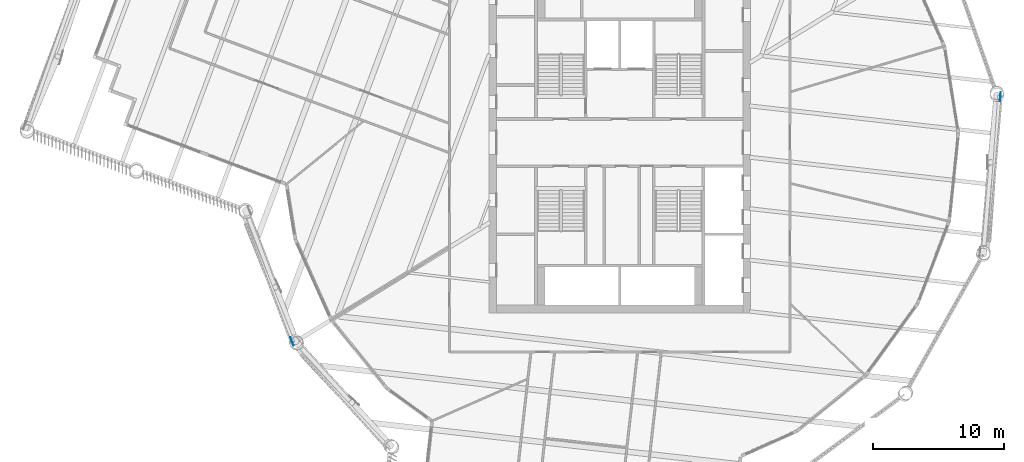
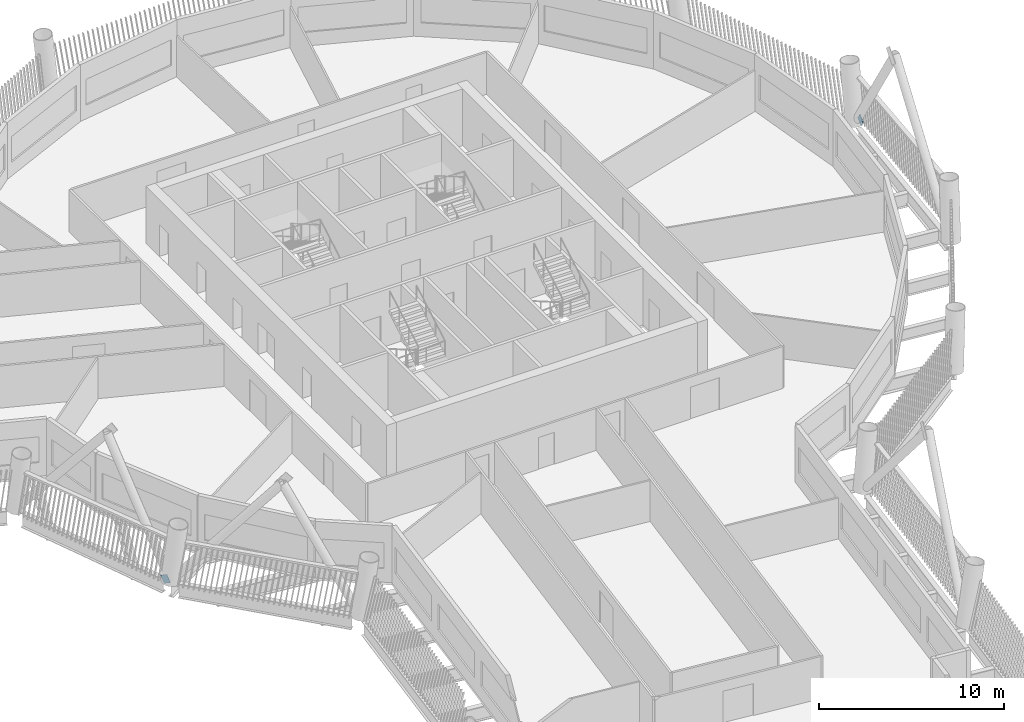
# One storey, part 13 of 22: 2 discrete accessories.
"""IFC4 building model written with IfcOpenShell, lengths in metres."""

from ifc_helpers import new_model, si_unit, direction, frame, origin, origin_2d, place, context, subcontext, project, spatial, rectangle, extrude, material, material_profile, profile_set, type_object, element, save


model = new_model("IFC4")

# Units and contexts
model_context = context("Model", 3, precision=1e-05, world=origin(), true_north=direction((0.0, 1.0)))
body_context = subcontext(model_context, "Body", "Model", "MODEL_VIEW")
ifc_project = project(units=[si_unit("LENGTHUNIT", "METRE"), si_unit("AREAUNIT", "SQUARE_METRE"), si_unit("VOLUMEUNIT", "CUBIC_METRE"), si_unit("PLANEANGLEUNIT", "RADIAN"), si_unit("MASSUNIT", "GRAM", prefix="KILO")], contexts=[model_context])

# Site, building, storey
site_placement = place(None, origin())
site = spatial("IfcSite", under=ifc_project, at=site_placement, CompositionType="ELEMENT")
building_placement = place(site_placement, origin())
building = spatial("IfcBuilding", under=site, at=building_placement, Name="Tarsis Ring Headquarters", CompositionType="ELEMENT")
storey_placement = place(building_placement, frame((0.0, 0.0, 200.39990234375)))
storey = spatial("IfcBuildingStorey", under=building, at=storey_placement, Name="L46", CompositionType="ELEMENT", Elevation=200.39990234375)

# Discrete accessories
ifc_material = material(Name="Structural steel S355", Category="steel")
ifc_material_profile = material_profile(ifc_material, rectangle(XDim=0.02490234375, YDim=0.5, at=origin_2d()), Name="PL 25x500")
ifc_profile_set = profile_set([ifc_material_profile], Name="Structural steel S355")
discrete_accessory_type = type_object("IfcDiscreteAccessoryType", Name="Gusset plate Exo brace 25", PredefinedType="BRACKET", material=ifc_profile_set)
for number, where, z_axis, x_axis, name in (
    (1, (29.083740234375, 3.625732421875, 0.0), (-0.049317141138, -0.550301168938, 0.833508514087), (0.996008294577, -0.089260725601, 0.0), "Gusset plate GP5"),
    (2, (-25.00146484375, -15.2978515625, 0.0), (-0.174315949089, 0.461912851087, 0.869626625566), (-0.935595554884, -0.35307358678, 0.0), "Gusset plate GP5"),
):
    element("IfcDiscreteAccessory", number, at=place(storey_placement, frame(where, z_axis=z_axis, x_axis=x_axis)), inside=storey, type_object=discrete_accessory_type, Name=name, PredefinedType="BRACKET", context=body_context, shape_type="SweptSolid", body=[
        extrude(rectangle(XDim=0.02490234375, YDim=0.5, at=origin_2d()), origin(), (0.0, 0.0, 1.0), 0.5),
    ])

save(model, "model.ifc")
